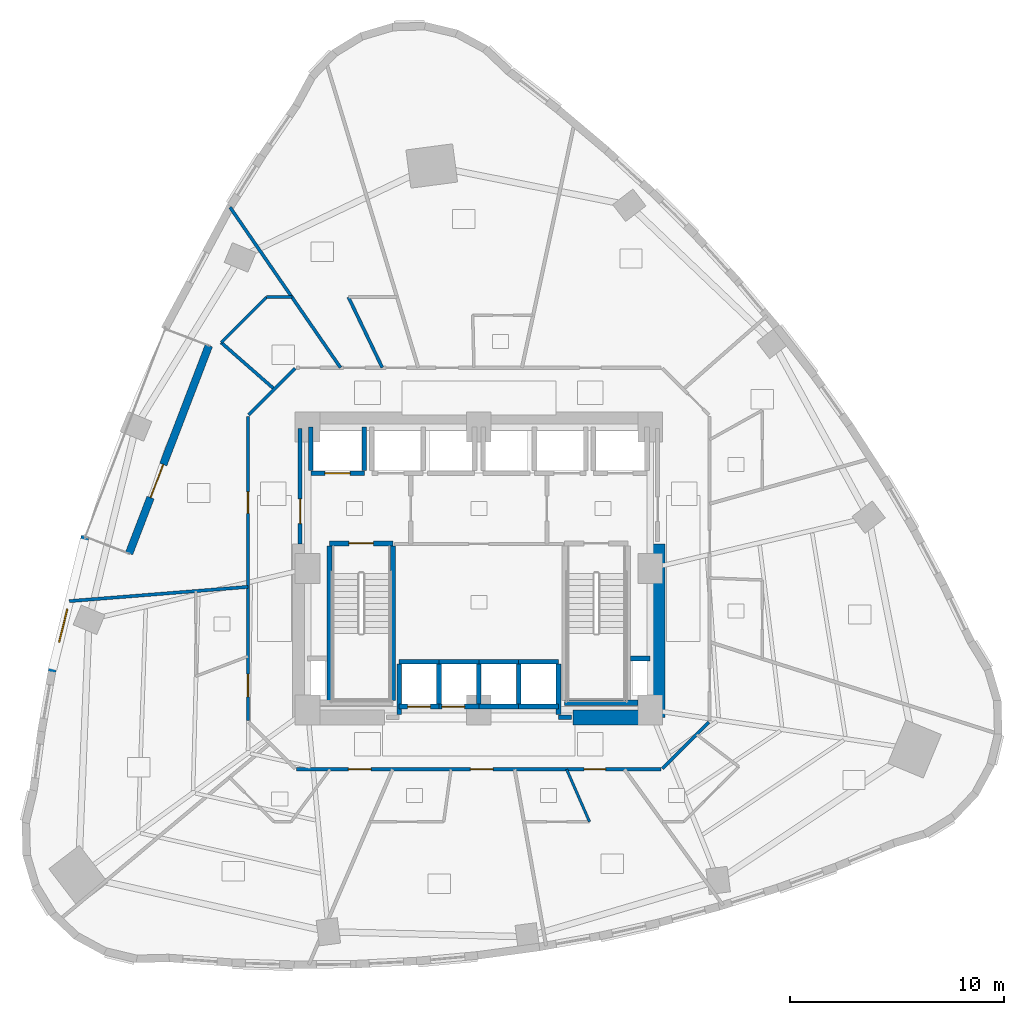
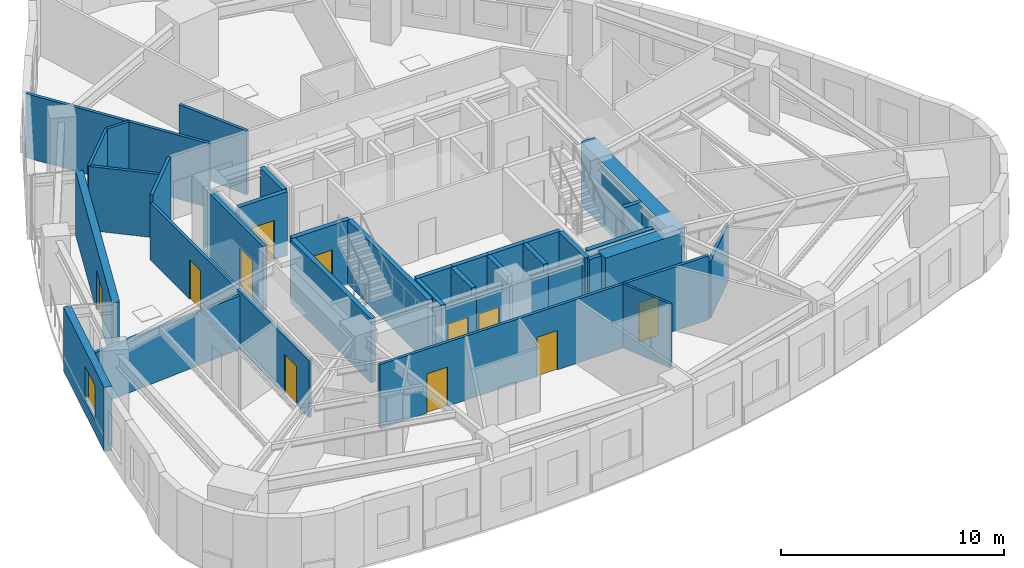
# One storey, part 6 of 12: 38 walls, 11 doors, 1 window, 12 openings.
"""IFC4 building model written with IfcOpenShell, lengths in metres."""

from ifc_helpers import new_model, si_unit, direction, frame, frame_2d, origin, place, context, subcontext, project, spatial, rectangle, extrude, material, layer, layer_set, type_object, element, fill, save


model = new_model("IFC4")

# Units and contexts
model_context = context("Model", 3, precision=1e-05, world=origin(), true_north=direction((0.0, 1.0)))
body_context = subcontext(model_context, "Body", "Model", "MODEL_VIEW")
ifc_project = project(units=[si_unit("LENGTHUNIT", "METRE"), si_unit("AREAUNIT", "SQUARE_METRE"), si_unit("VOLUMEUNIT", "CUBIC_METRE"), si_unit("PLANEANGLEUNIT", "RADIAN"), si_unit("MASSUNIT", "GRAM", prefix="KILO")], contexts=[model_context])

# Site, building, storey
site_placement = place(None, origin())
site = spatial("IfcSite", under=ifc_project, at=site_placement, CompositionType="ELEMENT")
building_placement = place(site_placement, origin())
building = spatial("IfcBuilding", under=site, at=building_placement, Name="Ndelora Gate Hotel", CompositionType="ELEMENT")
storey_placement = place(building_placement, frame((0.0, 0.0, 60.5)))
storey = spatial("IfcBuildingStorey", under=building, at=storey_placement, Name="L14", CompositionType="ELEMENT", Elevation=60.5)

# Wall, opening, door
ifc_material_1 = material(Name="Clay Brick Masonry", Category="masonry")
ifc_layer_1 = layer(ifc_material_1, 0.360107421875)
ifc_layer_set_1 = layer_set([ifc_layer_1], Name="Clay Brick Masonry")
wall_type_1 = type_object("IfcWallType", Name="WL-BRICK-360", PredefinedType="SOLIDWALL", material=ifc_layer_set_1)
wall_1_placement = place(storey_placement, frame((-16.335693359375, 0.70068359375, 0.0), z_axis=(0.0, 0.0, 1.0), x_axis=(0.358370224529, 0.93357955321, 0.0)))
wall_1 = element("IfcWall", 1, at=wall_1_placement, inside=storey, type_object=wall_type_1, Name="L14 Sky-Garden Loggia Rear Brick Wall", PredefinedType="SOLIDWALL", context=body_context, shape_type="SweptSolid", body=[
    extrude(rectangle(XDim=10.39990234375, YDim=0.360107421875, at=frame_2d((5.199951171875, 0.0))), origin(), (0.0, 0.0, 1.0), 3.5),
])
opening_1_placement = place(wall_1_placement, frame((2.800048828125, 0.0, 0.0)))
opening_1 = element("IfcOpeningElement", 2, at=opening_1_placement, cuts=wall_1, Name="Opening TD1", PredefinedType="OPENING", context=body_context, shape_type="SweptSolid", body=[
    extrude(rectangle(XDim=1.64990234375, YDim=2.25, at=frame_2d((0.824951171875, 1.125))), frame((0.0, 0.18994140625, 0.0), z_axis=(0.0, -1.0, 0.0), x_axis=(1.0, 0.0, 0.0)), (0.0, 0.0, 1.0), 0.380126953125),
])
ifc_material_2 = material(Name="Architectural Bronze Glazed Door", Category="metal")
door_type_1 = type_object("IfcDoorType", Name="DR-TER-1650", OperationType="DOUBLE_DOOR_SINGLE_SWING", PredefinedType="DOOR", material=ifc_material_2)
door_1_placement = place(opening_1_placement, origin())
door_1 = element("IfcDoor", 3, at=door_1_placement, inside=storey, type_object=door_type_1, Name="L14 Sky-Garden Terrace Double Door TD1", OperationType="DOUBLE_DOOR_SINGLE_SWING", OverallHeight=2.25, OverallWidth=1.64990234375, PredefinedType="DOOR", context=body_context, shape_type="SweptSolid", body=[
    extrude(rectangle(XDim=1.64990234375, YDim=2.25, at=frame_2d((0.824951171875, 1.125))), frame((0.0, 0.02490234375, 0.0), z_axis=(0.0, -1.0, 0.0), x_axis=(1.0, 0.0, 0.0)), (0.0, 0.0, 1.0), 0.050048828125),
])
fill(opening_1, door_1)

# Wall, opening, window
wall_2_placement = place(storey_placement, frame((-19.951416015625, -4.86279296875, 0.0), z_axis=(0.0, 0.0, 1.0), x_axis=(0.238780649109, 0.971073530486, 0.0)))
wall_2 = element("IfcWall", 4, at=wall_2_placement, inside=storey, type_object=wall_type_1, Name="L14 Tower Brick Pier-and-Spandrel Wall TWR-16", PredefinedType="SOLIDWALL", context=body_context, shape_type="SweptSolid", body=[
    extrude(rectangle(XDim=6.566162109375, YDim=0.360107421875, at=frame_2d((3.283203125, 0.0))), origin(), (0.0, 0.0, 1.0), 3.5),
])
opening_2_placement = place(wall_2_placement, frame((1.4599609375, 0.0, 0.719970703125)))
opening_2 = element("IfcOpeningElement", 5, at=opening_2_placement, cuts=wall_2, Name="Opening W01", PredefinedType="OPENING", context=body_context, shape_type="SweptSolid", body=[
    extrude(rectangle(XDim=1.60009765625, YDim=1.8798828125, at=frame_2d((0.800048828125, 0.93994140625))), frame((0.0, 0.18994140625, 0.0), z_axis=(0.0, -1.0, 0.0), x_axis=(1.0, 0.0, 0.0)), (0.0, 0.0, 1.0), 0.380126953125),
])
ifc_material_3 = material(Name="Insulated Low-E Double Glazing in Bronze Aluminium Frame", Category="aluminium")
window_type = type_object("IfcWindowType", Name="WN-DEEP-1600", PartitioningType="SINGLE_PANEL", PredefinedType="WINDOW", material=ifc_material_3)
window_placement = place(opening_2_placement, origin())
window = element("IfcWindow", 6, at=window_placement, inside=storey, type_object=window_type, Name="L14 Deep-Set Brick-Pier Window W01", OverallHeight=1.8798828125, OverallWidth=1.60009765625, PartitioningType="SINGLE_PANEL", PredefinedType="WINDOW", context=body_context, shape_type="SweptSolid", body=[
    extrude(rectangle(XDim=1.60009765625, YDim=1.8798828125, at=frame_2d((0.800048828125, 0.93994140625))), frame((0.0, 0.030029296875, 0.0), z_axis=(0.0, -1.0, 0.0), x_axis=(1.0, 0.0, 0.0)), (0.0, 0.0, 1.0), 0.06005859375),
])
fill(opening_2, window)

# Walls
ifc_material_4 = material(Name="Concrete C60/75", Category="concrete")
ifc_layer_2 = layer(ifc_material_4, 0.699951171875)
ifc_layer_set_2 = layer_set([ifc_layer_2], Name="Concrete C60/75")
wall_type_2 = type_object("IfcWallType", Name="WL-CORE-700", PredefinedType="SHEAR", material=ifc_layer_set_2)
wall_3_placement = place(storey_placement, frame((4.39990234375, -6.949951171875, 0.0), z_axis=(0.0, 0.0, 1.0), x_axis=(1.0, 0.0, 0.0)))
element("IfcWall", 7, at=wall_3_placement, inside=storey, type_object=wall_type_2, Name="L14 Core Shear Wall S-E", PredefinedType="SHEAR", context=body_context, shape_type="SweptSolid", body=[
    extrude(rectangle(XDim=3.9501953125, YDim=0.699951171875, at=frame_2d((1.97509765625, 0.0))), origin(), (0.0, 0.0, 1.0), 3.5),
])
wall_4_placement = place(storey_placement, frame((8.35009765625, -6.949951171875, 0.0), z_axis=(0.0, 0.0, 1.0), x_axis=(0.0, 1.0, 0.0)))
element("IfcWall", 8, at=wall_4_placement, inside=storey, type_object=wall_type_2, Name="L14 Core Shear Wall E", PredefinedType="SHEAR", context=body_context, shape_type="SweptSolid", body=[
    extrude(rectangle(XDim=8.099853515625, YDim=0.699951171875, at=frame_2d((4.0498046875, 0.0))), origin(), (0.0, 0.0, 1.0), 3.5),
])

# Wall, opening, door
ifc_material_5 = material(Name="Concrete C40/50", Category="concrete")
ifc_layer_3 = layer(ifc_material_5, 0.199951171875)
ifc_layer_set_3 = layer_set([ifc_layer_3], Name="Concrete C40/50")
wall_type_3 = type_object("IfcWallType", Name="WL-FIRE-200", PredefinedType="PARTITIONING", material=ifc_layer_set_3)
wall_5_placement = place(storey_placement, frame((-8.35009765625, 1.14990234375, 0.0), z_axis=(0.0, 0.0, 1.0), x_axis=(0.0, 1.0, 0.0)))
wall_5 = element("IfcWall", 9, at=wall_5_placement, inside=storey, type_object=wall_type_3, Name="L14 Interior Wall IW-2", PredefinedType="PARTITIONING", context=body_context, shape_type="SweptSolid", body=[
    extrude(rectangle(XDim=5.400146484375, YDim=0.199951171875, at=frame_2d((2.7001953125, 0.0))), origin(), (0.0, 0.0, 1.0), 3.5),
])
opening_3_placement = place(wall_5_placement, frame((0.949951171875, 0.0, 0.0)))
opening_3 = element("IfcOpeningElement", 10, at=opening_3_placement, cuts=wall_5, Name="Opening FD1", PredefinedType="OPENING", context=body_context, shape_type="SweptSolid", body=[
    extrude(rectangle(XDim=1.14990234375, YDim=2.14990234375, at=frame_2d((0.574951171875, 1.074951171875))), frame((0.0, 0.10986328125, 0.0), z_axis=(0.0, -1.0, 0.0), x_axis=(1.0, 0.0, 0.0)), (0.0, 0.0, 1.0), 0.219970703125),
])
ifc_material_6 = material(Name="Fire-Rated Timber-Veneer Steel Core", Category="steel")
door_type_2 = type_object("IfcDoorType", Name="DR-FD60", OperationType="SINGLE_SWING_LEFT", PredefinedType="DOOR", material=ifc_material_6)
door_2_placement = place(opening_3_placement, origin())
door_2 = element("IfcDoor", 11, at=door_2_placement, inside=storey, type_object=door_type_2, Name="L14 Firefighting Lobby West Corridor Door", OperationType="SINGLE_SWING_LEFT", OverallHeight=2.14990234375, OverallWidth=1.14990234375, PredefinedType="DOOR", context=body_context, shape_type="SweptSolid", body=[
    extrude(rectangle(XDim=1.14990234375, YDim=2.14990234375, at=frame_2d((0.574951171875, 1.074951171875))), frame((0.0, 0.02490234375, 0.0), z_axis=(0.0, -1.0, 0.0), x_axis=(1.0, 0.0, 0.0)), (0.0, 0.0, 1.0), 0.050048828125),
])
fill(opening_3, door_2)

# Wall
wall_6_placement = place(storey_placement, frame((3.719970703125, -6.949951171875, 0.0), z_axis=(0.0, 0.0, 1.0), x_axis=(1.0, 0.0, 0.0)))
element("IfcWall", 12, at=wall_6_placement, inside=storey, type_object=wall_type_3, Name="L14 Interior Wall IW-2", PredefinedType="PARTITIONING", context=body_context, shape_type="SweptSolid", body=[
    extrude(rectangle(XDim=0.60009765625, YDim=0.199951171875, at=frame_2d((0.300048828125, 0.0))), origin(), (0.0, 0.0, 1.0), 3.5),
])

# Wall, openings, doors
ifc_material_7 = material(Name="Fire-Rated Gypsum Stud Partition", Category="gypsum")
ifc_layer_4 = layer(ifc_material_7, 0.14990234375)
ifc_layer_set_4 = layer_set([ifc_layer_4], Name="Fire-Rated Gypsum Stud Partition")
wall_type_4 = type_object("IfcWallType", Name="WL-PART-150", PredefinedType="PARTITIONING", material=ifc_layer_set_4)
wall_7_placement = place(storey_placement, frame((8.510009765625, -9.3798828125, 0.0), z_axis=(0.0, 0.0, 1.0), x_axis=(-1.0, 0.0, 0.0)))
wall_7 = element("IfcWall", 13, at=wall_7_placement, inside=storey, type_object=wall_type_4, Name="L14 Interior Wall IW-5", PredefinedType="PARTITIONING", context=body_context, shape_type="SweptSolid", body=[
    extrude(rectangle(XDim=17.02001953125, YDim=0.14990234375, at=frame_2d((8.510009765625, 0.0))), origin(), (0.0, 0.0, 1.0), 3.5),
])
opening_4_placement = place(wall_7_placement, frame((2.58935546875, 0.0, 0.0)))
opening_4 = element("IfcOpeningElement", 14, at=opening_4_placement, cuts=wall_7, Name="Opening D01", PredefinedType="OPENING", context=body_context, shape_type="SweptSolid", body=[
    extrude(rectangle(XDim=1.0, YDim=2.14990234375, at=frame_2d((0.5, 1.074951171875))), frame((0.0, 0.0849609375, 0.0), z_axis=(0.0, -1.0, 0.0), x_axis=(1.0, 0.0, 0.0)), (0.0, 0.0, 1.0), 0.169921875),
])
opening_5_placement = place(wall_7_placement, frame((7.842529296875, 0.0, 0.0)))
opening_5 = element("IfcOpeningElement", 15, at=opening_5_placement, cuts=wall_7, Name="Opening D07", PredefinedType="OPENING", context=body_context, shape_type="SweptSolid", body=[
    extrude(rectangle(XDim=1.06005859375, YDim=2.14990234375, at=frame_2d((0.530029296875, 1.074951171875))), frame((0.0, 0.0849609375, 0.0), z_axis=(0.0, -1.0, 0.0), x_axis=(1.0, 0.0, 0.0)), (0.0, 0.0, 1.0), 0.169921875),
])
opening_6_placement = place(wall_7_placement, frame((13.537353515625, 0.0, 0.0)))
opening_6 = element("IfcOpeningElement", 16, at=opening_6_placement, cuts=wall_7, Name="Opening D07", PredefinedType="OPENING", context=body_context, shape_type="SweptSolid", body=[
    extrude(rectangle(XDim=1.06005859375, YDim=2.14990234375, at=frame_2d((0.530029296875, 1.074951171875))), frame((0.0, 0.0849609375, 0.0), z_axis=(0.0, -1.0, 0.0), x_axis=(1.0, 0.0, 0.0)), (0.0, 0.0, 1.0), 0.169921875),
])
ifc_material_8 = material(Name="Acoustic Hardwood Guest Entrance Door", Category="wood")
door_type_3 = type_object("IfcDoorType", Name="DR-COR-1000", OperationType="SINGLE_SWING_LEFT", PredefinedType="DOOR", material=ifc_material_8)
door_3_placement = place(opening_4_placement, origin())
door_3 = element("IfcDoor", 17, at=door_3_placement, inside=storey, type_object=door_type_3, Name="L14 Executive King Guest Room 1704 Entrance Door", OperationType="SINGLE_SWING_LEFT", OverallHeight=2.14990234375, OverallWidth=1.0, PredefinedType="DOOR", context=body_context, shape_type="SweptSolid", body=[
    extrude(rectangle(XDim=1.0, YDim=2.14990234375, at=frame_2d((0.5, 1.074951171875))), frame((0.0, 0.02490234375, 0.0), z_axis=(0.0, -1.0, 0.0), x_axis=(1.0, 0.0, 0.0)), (0.0, 0.0, 1.0), 0.050048828125),
])
fill(opening_4, door_3)
ifc_material_9 = material(Name="Diplomatic Suite Acoustic Entrance Door", Category="wood")
door_type_4 = type_object("IfcDoorType", Name="DR-SUITE-1060", OperationType="SINGLE_SWING_LEFT", PredefinedType="DOOR", material=ifc_material_9)
door_4_placement = place(opening_5_placement, origin())
door_4 = element("IfcDoor", 18, at=door_4_placement, inside=storey, type_object=door_type_4, Name="L14 Corner Junior Suite 1703 Entrance Door", OperationType="SINGLE_SWING_RIGHT", OverallHeight=2.14990234375, OverallWidth=1.06005859375, PredefinedType="DOOR", context=body_context, shape_type="SweptSolid", body=[
    extrude(rectangle(XDim=1.06005859375, YDim=2.14990234375, at=frame_2d((0.530029296875, 1.074951171875))), frame((0.0, 0.02490234375, 0.0), z_axis=(0.0, -1.0, 0.0), x_axis=(1.0, 0.0, 0.0)), (0.0, 0.0, 1.0), 0.050048828125),
])
fill(opening_5, door_4)
door_5_placement = place(opening_6_placement, origin())
door_5 = element("IfcDoor", 19, at=door_5_placement, inside=storey, type_object=door_type_4, Name="L14 Twin Junior Suite 1702 Entrance Door", OperationType="SINGLE_SWING_RIGHT", OverallHeight=2.14990234375, OverallWidth=1.06005859375, PredefinedType="DOOR", context=body_context, shape_type="SweptSolid", body=[
    extrude(rectangle(XDim=1.06005859375, YDim=2.14990234375, at=frame_2d((0.530029296875, 1.074951171875))), frame((0.0, 0.02490234375, 0.0), z_axis=(0.0, -1.0, 0.0), x_axis=(1.0, 0.0, 0.0)), (0.0, 0.0, 1.0), 0.050048828125),
])
fill(opening_6, door_5)

# Walls
wall_8_placement = place(storey_placement, frame((10.751708984375, -7.17822265625, 0.0), z_axis=(0.0, 0.0, 1.0), x_axis=(-0.707067066127, -0.707146494016, 0.0)))
element("IfcWall", 20, at=wall_8_placement, inside=storey, type_object=wall_type_4, Name="L14 Interior Wall IW-5", PredefinedType="PARTITIONING", context=body_context, shape_type="SweptSolid", body=[
    extrude(rectangle(XDim=3.07373046875, YDim=0.14990234375, at=frame_2d((1.536865234375, 0.0))), origin(), (0.0, 0.0, 1.0), 3.1201171875),
])
wall_9_placement = place(storey_placement, frame((-10.751708984375, 7.17822265625, 0.0), z_axis=(0.0, 0.0, 1.0), x_axis=(0.707067066127, 0.707146494016, 0.0)))
element("IfcWall", 21, at=wall_9_placement, inside=storey, type_object=wall_type_4, Name="L14 Interior Wall IW-5", PredefinedType="PARTITIONING", context=body_context, shape_type="SweptSolid", body=[
    extrude(rectangle(XDim=3.07373046875, YDim=0.14990234375, at=frame_2d((1.536865234375, 0.0))), origin(), (0.0, 0.0, 1.0), 3.5),
])

# Wall, openings, doors
wall_10_placement = place(storey_placement, frame((-10.780029296875, -7.110107421875, 0.0), z_axis=(0.0, 0.0, 1.0), x_axis=(0.0, 1.0, 0.0)))
wall_10 = element("IfcWall", 22, at=wall_10_placement, inside=storey, type_object=wall_type_4, Name="L14 Interior Wall IW-5", PredefinedType="PARTITIONING", context=body_context, shape_type="SweptSolid", body=[
    extrude(rectangle(XDim=14.22021484375, YDim=0.14990234375, at=frame_2d((7.110107421875, 0.0))), origin(), (0.0, 0.0, 1.0), 3.1201171875),
])
opening_7_placement = place(wall_10_placement, frame((9.685302734375, 0.0, 0.0)))
opening_7 = element("IfcOpeningElement", 23, at=opening_7_placement, cuts=wall_10, Name="Opening D01", PredefinedType="OPENING", context=body_context, shape_type="SweptSolid", body=[
    extrude(rectangle(XDim=1.0, YDim=2.14990234375, at=frame_2d((0.5, 1.074951171875))), frame((0.0, 0.0849609375, 0.0), z_axis=(0.0, -1.0, 0.0), x_axis=(1.0, 0.0, 0.0)), (0.0, 0.0, 1.0), 0.169921875),
])
opening_8_placement = place(wall_10_placement, frame((1.11279296875, 0.0, 0.0)))
opening_8 = element("IfcOpeningElement", 24, at=opening_8_placement, cuts=wall_10, Name="Opening D07", PredefinedType="OPENING", context=body_context, shape_type="SweptSolid", body=[
    extrude(rectangle(XDim=1.06005859375, YDim=2.14990234375, at=frame_2d((0.530029296875, 1.074951171875))), frame((0.0, 0.0849609375, 0.0), z_axis=(0.0, -1.0, 0.0), x_axis=(1.0, 0.0, 0.0)), (0.0, 0.0, 1.0), 0.169921875),
])
door_6_placement = place(opening_7_placement, origin())
door_6 = element("IfcDoor", 25, at=door_6_placement, inside=storey, type_object=door_type_3, Name="L14 Sky Garden Tea Dining Room Entrance Door", OperationType="SINGLE_SWING_LEFT", OverallHeight=2.14990234375, OverallWidth=1.0, PredefinedType="DOOR", context=body_context, shape_type="SweptSolid", body=[
    extrude(rectangle(XDim=1.0, YDim=2.14990234375, at=frame_2d((0.5, 1.074951171875))), frame((0.0, 0.02490234375, 0.0), z_axis=(0.0, -1.0, 0.0), x_axis=(1.0, 0.0, 0.0)), (0.0, 0.0, 1.0), 0.050048828125),
])
fill(opening_7, door_6)
door_7_placement = place(opening_8_placement, origin())
door_7 = element("IfcDoor", 26, at=door_7_placement, inside=storey, type_object=door_type_4, Name="L14 Superior Double Junior Suite 1701 Entrance Door", OperationType="SINGLE_SWING_RIGHT", OverallHeight=2.14990234375, OverallWidth=1.06005859375, PredefinedType="DOOR", context=body_context, shape_type="SweptSolid", body=[
    extrude(rectangle(XDim=1.06005859375, YDim=2.14990234375, at=frame_2d((0.530029296875, 1.074951171875))), frame((0.0, 0.02490234375, 0.0), z_axis=(0.0, -1.0, 0.0), x_axis=(1.0, 0.0, 0.0)), (0.0, 0.0, 1.0), 0.050048828125),
])
fill(opening_8, door_7)

# Walls
wall_11_placement = place(storey_placement, frame((-9.552490234375, 8.37744140625, 0.0), z_axis=(0.0, 0.0, 1.0), x_axis=(-0.751807906315, 0.659382189631, 0.0)))
element("IfcWall", 27, at=wall_11_placement, inside=storey, type_object=wall_type_4, Name="L14 Interior Wall IW-5", PredefinedType="PARTITIONING", context=body_context, shape_type="SweptSolid", body=[
    extrude(rectangle(XDim=3.30712890625, YDim=0.14990234375, at=frame_2d((1.653564453125, 0.0))), origin(), (0.0, 0.0, 1.0), 3.5),
])
wall_12_placement = place(storey_placement, frame((-10.780029296875, -0.85888671875, 0.0), z_axis=(0.0, 0.0, 1.0), x_axis=(-0.996838958, -0.079448674079, 0.0)))
element("IfcWall", 28, at=wall_12_placement, inside=storey, type_object=wall_type_4, Name="L14 Interior Wall IW-5", PredefinedType="PARTITIONING", context=body_context, shape_type="SweptSolid", body=[
    extrude(rectangle(XDim=8.376708984375, YDim=0.14990234375, at=frame_2d((4.1884765625, 0.0))), origin(), (0.0, 0.0, 1.0), 2.929931640625),
])
wall_13_placement = place(storey_placement, frame((-4.507568359375, 9.3798828125, 0.0), z_axis=(0.0, 0.0, 1.0), x_axis=(-0.433155901161, 0.901319014162, 0.0)))
element("IfcWall", 29, at=wall_13_placement, inside=storey, type_object=wall_type_4, Name="L14 Interior Wall IW-5", PredefinedType="PARTITIONING", context=body_context, shape_type="SweptSolid", body=[
    extrude(rectangle(XDim=3.661376953125, YDim=0.14990234375, at=frame_2d((1.83056640625, 0.0))), origin(), (0.0, 0.0, 1.0), 3.5),
])
wall_14_placement = place(storey_placement, frame((-6.460205078125, 9.3798828125, 0.0), z_axis=(0.0, 0.0, 1.0), x_axis=(-0.567187966885, 0.823588374263, 0.0)))
element("IfcWall", 30, at=wall_14_placement, inside=storey, type_object=wall_type_4, Name="L14 Interior Wall IW-5", PredefinedType="PARTITIONING", context=body_context, shape_type="SweptSolid", body=[
    extrude(rectangle(XDim=9.09912109375, YDim=0.14990234375, at=frame_2d((4.549560546875, 0.0))), origin(), (0.0, 0.0, 1.0), 3.5),
])
ifc_layer_5 = layer(ifc_material_5, 0.219970703125)
ifc_layer_set_5 = layer_set([ifc_layer_5], Name="Concrete C40/50")
wall_type_5 = type_object("IfcWallType", Name="WL-SHAFT-220", PredefinedType="PARTITIONING", material=ifc_layer_set_5)
wall_15_placement = place(storey_placement, frame((7.090087890625, -4.199951171875, 0.0), z_axis=(0.0, 0.0, 1.0), x_axis=(1.0, 0.0, 0.0)))
element("IfcWall", 31, at=wall_15_placement, inside=storey, type_object=wall_type_5, Name="L14 Interior Wall IW-1", PredefinedType="PARTITIONING", context=body_context, shape_type="SweptSolid", body=[
    extrude(rectangle(XDim=0.909912109375, YDim=0.219970703125, at=frame_2d((0.455078125, 0.0))), origin(), (0.0, 0.0, 1.0), 3.5),
])

# Wall, opening, door
wall_16_placement = place(storey_placement, frame((-7.85009765625, 4.449951171875, 0.0), z_axis=(0.0, 0.0, 1.0), x_axis=(1.0, 0.0, 0.0)))
wall_16 = element("IfcWall", 32, at=wall_16_placement, inside=storey, type_object=wall_type_5, Name="L14 Interior Wall IW-1", PredefinedType="PARTITIONING", context=body_context, shape_type="SweptSolid", body=[
    extrude(rectangle(XDim=2.5, YDim=0.219970703125, at=frame_2d((1.25, 0.0))), origin(), (0.0, 0.0, 1.0), 3.5),
])
opening_9_placement = place(wall_16_placement, frame((0.659912109375, 0.0, 0.0)))
opening_9 = element("IfcOpeningElement", 33, at=opening_9_placement, cuts=wall_16, Name="Opening LD5", PredefinedType="OPENING", context=body_context, shape_type="SweptSolid", body=[
    extrude(rectangle(XDim=1.179931640625, YDim=2.14990234375, at=frame_2d((0.58984375, 1.074951171875))), frame((0.0, 0.1201171875, 0.0), z_axis=(0.0, -1.0, 0.0), x_axis=(1.0, 0.0, 0.0)), (0.0, 0.0, 1.0), 0.239990234375),
])
ifc_material_10 = material(Name="Firefighting Lift Stainless Sliding Landing Door", Category="metal")
door_type_5 = type_object("IfcDoorType", Name="DR-LD5", OperationType="DOUBLE_DOOR_SLIDING", PredefinedType="DOOR", material=ifc_material_10)
door_8_placement = place(opening_9_placement, origin())
door_8 = element("IfcDoor", 34, at=door_8_placement, inside=storey, type_object=door_type_5, Name="L14 Lift Landing Sliding Door FFL1", OperationType="DOUBLE_DOOR_SLIDING", OverallHeight=2.14990234375, OverallWidth=1.179931640625, PredefinedType="DOOR", context=body_context, shape_type="SweptSolid", body=[
    extrude(rectangle(XDim=1.179931640625, YDim=2.14990234375, at=frame_2d((0.58984375, 1.074951171875))), frame((0.0, 0.02490234375, 0.0), z_axis=(0.0, -1.0, 0.0), x_axis=(1.0, 0.0, 0.0)), (0.0, 0.0, 1.0), 0.050048828125),
])
fill(opening_9, door_8)

# Walls
wall_17_placement = place(storey_placement, frame((-7.85009765625, 4.570068359375, 0.0), z_axis=(0.0, 0.0, 1.0), x_axis=(0.0, 1.0, 0.0)))
element("IfcWall", 35, at=wall_17_placement, inside=storey, type_object=wall_type_5, Name="L14 Interior Wall IW-1", PredefinedType="PARTITIONING", context=body_context, shape_type="SweptSolid", body=[
    extrude(rectangle(XDim=2.030029296875, YDim=0.219970703125, at=frame_2d((1.01513671875, 0.0))), origin(), (0.0, 0.0, 1.0), 3.080078125),
])
wall_18_placement = place(storey_placement, frame((-5.35009765625, 4.570068359375, 0.0), z_axis=(0.0, 0.0, 1.0), x_axis=(0.0, 1.0, 0.0)))
element("IfcWall", 36, at=wall_18_placement, inside=storey, type_object=wall_type_5, Name="L14 Interior Wall IW-1", PredefinedType="PARTITIONING", context=body_context, shape_type="SweptSolid", body=[
    extrude(rectangle(XDim=2.030029296875, YDim=0.219970703125, at=frame_2d((1.01513671875, 0.0))), origin(), (0.0, 0.0, 1.0), 3.5),
])

# Wall, opening, door
wall_19_placement = place(storey_placement, frame((-3.719970703125, -6.449951171875, 0.0), z_axis=(0.0, 0.0, 1.0), x_axis=(1.0, 0.0, 0.0)))
wall_19 = element("IfcWall", 37, at=wall_19_placement, inside=storey, type_object=wall_type_5, Name="L14 Interior Wall IW-1", PredefinedType="PARTITIONING", context=body_context, shape_type="SweptSolid", body=[
    extrude(rectangle(XDim=1.85986328125, YDim=0.219970703125, at=frame_2d((0.929931640625, 0.0))), origin(), (0.0, 0.0, 1.0), 3.080078125),
])
opening_10_placement = place(wall_19_placement, frame((0.39990234375, 0.0, 0.0)))
opening_10 = element("IfcOpeningElement", 38, at=opening_10_placement, cuts=wall_19, Name="Opening LD1", PredefinedType="OPENING", context=body_context, shape_type="SweptSolid", body=[
    extrude(rectangle(XDim=1.06005859375, YDim=2.14990234375, at=frame_2d((0.530029296875, 1.074951171875))), frame((0.0, 0.1201171875, 0.0), z_axis=(0.0, -1.0, 0.0), x_axis=(1.0, 0.0, 0.0)), (0.0, 0.0, 1.0), 0.239990234375),
])
ifc_material_11 = material(Name="Brushed Bronze Stainless Lift Landing Door", Category="metal")
door_type_6 = type_object("IfcDoorType", Name="DR-LD1", OperationType="DOUBLE_DOOR_SLIDING", PredefinedType="DOOR", material=ifc_material_11)
door_9_placement = place(opening_10_placement, origin())
door_9 = element("IfcDoor", 39, at=door_9_placement, inside=storey, type_object=door_type_6, Name="L14 Lift Landing Sliding Door P1A", OperationType="DOUBLE_DOOR_SLIDING", OverallHeight=2.14990234375, OverallWidth=1.06005859375, PredefinedType="DOOR", context=body_context, shape_type="SweptSolid", body=[
    extrude(rectangle(XDim=1.06005859375, YDim=2.14990234375, at=frame_2d((0.530029296875, 1.074951171875))), frame((0.0, 0.02490234375, 0.0), z_axis=(0.0, -1.0, 0.0), x_axis=(1.0, 0.0, 0.0)), (0.0, 0.0, 1.0), 0.050048828125),
])
fill(opening_10, door_9)

# Walls
wall_20_placement = place(storey_placement, frame((-3.719970703125, -4.35009765625, 0.0), z_axis=(0.0, 0.0, 1.0), x_axis=(1.0, 0.0, 0.0)))
element("IfcWall", 40, at=wall_20_placement, inside=storey, type_object=wall_type_5, Name="L14 Interior Wall IW-1", PredefinedType="PARTITIONING", context=body_context, shape_type="SweptSolid", body=[
    extrude(rectangle(XDim=1.85986328125, YDim=0.219970703125, at=frame_2d((0.929931640625, 0.0))), origin(), (0.0, 0.0, 1.0), 3.5),
])
wall_21_placement = place(storey_placement, frame((-3.719970703125, -6.830078125, 0.0), z_axis=(0.0, 0.0, 1.0), x_axis=(0.0, 1.0, 0.0)))
element("IfcWall", 41, at=wall_21_placement, inside=storey, type_object=wall_type_5, Name="L14 Interior Wall IW-1", PredefinedType="PARTITIONING", context=body_context, shape_type="SweptSolid", body=[
    extrude(rectangle(XDim=2.360107421875, YDim=0.219970703125, at=frame_2d((1.18017578125, 0.0))), origin(), (0.0, 0.0, 1.0), 3.5),
])
wall_22_placement = place(storey_placement, frame((-1.860107421875, -6.330078125, 0.0), z_axis=(0.0, 0.0, 1.0), x_axis=(0.0, 1.0, 0.0)))
element("IfcWall", 42, at=wall_22_placement, inside=storey, type_object=wall_type_5, Name="L14 Interior Wall IW-1", PredefinedType="PARTITIONING", context=body_context, shape_type="SweptSolid", body=[
    extrude(rectangle(XDim=1.860107421875, YDim=0.219970703125, at=frame_2d((0.93017578125, 0.0))), origin(), (0.0, 0.0, 1.0), 3.5),
])

# Wall, opening, door
wall_23_placement = place(storey_placement, frame((-1.860107421875, -6.449951171875, 0.0), z_axis=(0.0, 0.0, 1.0), x_axis=(1.0, 0.0, 0.0)))
wall_23 = element("IfcWall", 43, at=wall_23_placement, inside=storey, type_object=wall_type_5, Name="L14 Interior Wall IW-1", PredefinedType="PARTITIONING", context=body_context, shape_type="SweptSolid", body=[
    extrude(rectangle(XDim=1.860107421875, YDim=0.219970703125, at=frame_2d((0.93017578125, 0.0))), origin(), (0.0, 0.0, 1.0), 3.080078125),
])
opening_11_placement = place(wall_23_placement, frame((0.139892578125, 0.0, 0.0)))
opening_11 = element("IfcOpeningElement", 44, at=opening_11_placement, cuts=wall_23, Name="Opening LD1", PredefinedType="OPENING", context=body_context, shape_type="SweptSolid", body=[
    extrude(rectangle(XDim=1.06005859375, YDim=2.14990234375, at=frame_2d((0.530029296875, 1.074951171875))), frame((0.0, 0.1201171875, 0.0), z_axis=(0.0, -1.0, 0.0), x_axis=(1.0, 0.0, 0.0)), (0.0, 0.0, 1.0), 0.239990234375),
])
door_10_placement = place(opening_11_placement, origin())
door_10 = element("IfcDoor", 45, at=door_10_placement, inside=storey, type_object=door_type_6, Name="L14 Lift Landing Sliding Door P1B", OperationType="DOUBLE_DOOR_SLIDING", OverallHeight=2.14990234375, OverallWidth=1.06005859375, PredefinedType="DOOR", context=body_context, shape_type="SweptSolid", body=[
    extrude(rectangle(XDim=1.06005859375, YDim=2.14990234375, at=frame_2d((0.530029296875, 1.074951171875))), frame((0.0, 0.02490234375, 0.0), z_axis=(0.0, -1.0, 0.0), x_axis=(1.0, 0.0, 0.0)), (0.0, 0.0, 1.0), 0.050048828125),
])
fill(opening_11, door_10)

# Walls
for number, where, z_axis, x_axis, name in (
    (46, (-1.860107421875, -4.35009765625, 0.0), (0.0, 0.0, 1.0), (1.0, 0.0, 0.0), "L14 Interior Wall IW-1"),
    (47, (0.0, -6.330078125, 0.0), (0.0, 0.0, 1.0), (0.0, 1.0, 0.0), "L14 Interior Wall IW-1"),
):
    element("IfcWall", number, at=place(storey_placement, frame(where, z_axis=z_axis, x_axis=x_axis)), inside=storey, type_object=wall_type_5, Name=name, PredefinedType="PARTITIONING", context=body_context, shape_type="SweptSolid", body=[
        extrude(rectangle(XDim=1.860107421875, YDim=0.219970703125, at=frame_2d((0.93017578125, 0.0))), origin(), (0.0, 0.0, 1.0), 3.5),
    ])
wall_24_placement = place(storey_placement, frame((0.0, -6.449951171875, 0.0), z_axis=(0.0, 0.0, 1.0), x_axis=(1.0, 0.0, 0.0)))
element("IfcWall", 48, at=wall_24_placement, inside=storey, type_object=wall_type_5, Name="L14 Interior Wall IW-1", PredefinedType="PARTITIONING", context=body_context, shape_type="SweptSolid", body=[
    extrude(rectangle(XDim=1.860107421875, YDim=0.219970703125, at=frame_2d((0.93017578125, 0.0))), origin(), (0.0, 0.0, 1.0), 3.080078125),
])
for number, where, z_axis, x_axis, name in (
    (49, (0.0, -4.35009765625, 0.0), (0.0, 0.0, 1.0), (1.0, 0.0, 0.0), "L14 Interior Wall IW-1"),
    (50, (1.860107421875, -6.330078125, 0.0), (0.0, 0.0, 1.0), (0.0, 1.0, 0.0), "L14 Interior Wall IW-1"),
):
    element("IfcWall", number, at=place(storey_placement, frame(where, z_axis=z_axis, x_axis=x_axis)), inside=storey, type_object=wall_type_5, Name=name, PredefinedType="PARTITIONING", context=body_context, shape_type="SweptSolid", body=[
        extrude(rectangle(XDim=1.860107421875, YDim=0.219970703125, at=frame_2d((0.93017578125, 0.0))), origin(), (0.0, 0.0, 1.0), 3.5),
    ])
wall_25_placement = place(storey_placement, frame((1.860107421875, -6.449951171875, 0.0), z_axis=(0.0, 0.0, 1.0), x_axis=(1.0, 0.0, 0.0)))
element("IfcWall", 51, at=wall_25_placement, inside=storey, type_object=wall_type_5, Name="L14 Interior Wall IW-1", PredefinedType="PARTITIONING", context=body_context, shape_type="SweptSolid", body=[
    extrude(rectangle(XDim=1.85986328125, YDim=0.219970703125, at=frame_2d((0.929931640625, 0.0))), origin(), (0.0, 0.0, 1.0), 3.080078125),
])
wall_26_placement = place(storey_placement, frame((1.860107421875, -4.35009765625, 0.0), z_axis=(0.0, 0.0, 1.0), x_axis=(1.0, 0.0, 0.0)))
element("IfcWall", 52, at=wall_26_placement, inside=storey, type_object=wall_type_5, Name="L14 Interior Wall IW-1", PredefinedType="PARTITIONING", context=body_context, shape_type="SweptSolid", body=[
    extrude(rectangle(XDim=1.85986328125, YDim=0.219970703125, at=frame_2d((0.929931640625, 0.0))), origin(), (0.0, 0.0, 1.0), 3.5),
])
wall_27_placement = place(storey_placement, frame((3.719970703125, -6.830078125, 0.0), z_axis=(0.0, 0.0, 1.0), x_axis=(0.0, 1.0, 0.0)))
element("IfcWall", 53, at=wall_27_placement, inside=storey, type_object=wall_type_5, Name="L14 Interior Wall IW-1", PredefinedType="PARTITIONING", context=body_context, shape_type="SweptSolid", body=[
    extrude(rectangle(XDim=2.360107421875, YDim=0.219970703125, at=frame_2d((1.18017578125, 0.0))), origin(), (0.0, 0.0, 1.0), 3.5),
])
ifc_material_12 = material(Name="Concrete C50/60", Category="concrete")
ifc_layer_6 = layer(ifc_material_12, 0.239990234375)
ifc_layer_set_6 = layer_set([ifc_layer_6], Name="Concrete C50/60")
wall_type_6 = type_object("IfcWallType", Name="WL-STAIR-240", PredefinedType="SHEAR", material=ifc_layer_set_6)
for number, where, z_axis, x_axis, name in (
    (54, (-6.969970703125, -6.159912109375, 0.0), (0.0, 0.0, 1.0), (0.0, 1.0, 0.0), "L14 Stair Core Shear Wall SW-ST"),
    (55, (-4.010009765625, -6.159912109375, 0.0), (0.0, 0.0, 1.0), (0.0, 1.0, 0.0), "L14 Stair Core Shear Wall SW-ST"),
):
    element("IfcWall", number, at=place(storey_placement, frame(where, z_axis=z_axis, x_axis=x_axis)), inside=storey, type_object=wall_type_6, Name=name, PredefinedType="SHEAR", context=body_context, shape_type="SweptSolid", body=[
        extrude(rectangle(XDim=7.219970703125, YDim=0.239990234375, at=frame_2d((3.60986328125, 0.0))), origin(), (0.0, 0.0, 1.0), 3.5),
    ])

# Wall, opening, door
wall_28_placement = place(storey_placement, frame((-6.969970703125, 1.169921875, 0.0), z_axis=(0.0, 0.0, 1.0), x_axis=(1.0, 0.0, 0.0)))
wall_28 = element("IfcWall", 56, at=wall_28_placement, inside=storey, type_object=wall_type_6, Name="L14 Stair Core Shear Wall SW-ST", PredefinedType="SHEAR", context=body_context, shape_type="SweptSolid", body=[
    extrude(rectangle(XDim=2.9599609375, YDim=0.239990234375, at=frame_2d((1.47998046875, 0.0))), origin(), (0.0, 0.0, 1.0), 3.5),
])
opening_12_placement = place(wall_28_placement, frame((0.89990234375, 0.0, 0.0)))
opening_12 = element("IfcOpeningElement", 57, at=opening_12_placement, cuts=wall_28, Name="Opening FD1", PredefinedType="OPENING", context=body_context, shape_type="SweptSolid", body=[
    extrude(rectangle(XDim=1.14990234375, YDim=2.14990234375, at=frame_2d((0.574951171875, 1.074951171875))), frame((0.0, 0.1298828125, 0.0), z_axis=(0.0, -1.0, 0.0), x_axis=(1.0, 0.0, 0.0)), (0.0, 0.0, 1.0), 0.260009765625),
])
door_11_placement = place(opening_12_placement, origin())
door_11 = element("IfcDoor", 58, at=door_11_placement, inside=storey, type_object=door_type_2, Name="L14 Exit Stair ST4 Door", OperationType="SINGLE_SWING_LEFT", OverallHeight=2.14990234375, OverallWidth=1.14990234375, PredefinedType="DOOR", context=body_context, shape_type="SweptSolid", body=[
    extrude(rectangle(XDim=1.14990234375, YDim=2.14990234375, at=frame_2d((0.574951171875, 1.074951171875))), frame((0.0, 0.02490234375, 0.0), z_axis=(0.0, -1.0, 0.0), x_axis=(1.0, 0.0, 0.0)), (0.0, 0.0, 1.0), 0.050048828125),
])
fill(opening_12, door_11)

# Walls
wall_29_placement = place(storey_placement, frame((4.010009765625, -6.27001953125, 0.0), z_axis=(0.0, 0.0, 1.0), x_axis=(1.0, 0.0, 0.0)))
element("IfcWall", 59, at=wall_29_placement, inside=storey, type_object=wall_type_6, Name="L14 Stair Core Shear Wall SW-ST", PredefinedType="SHEAR", context=body_context, shape_type="SweptSolid", body=[
    extrude(rectangle(XDim=3.4150390625, YDim=0.239990234375, at=frame_2d((1.70751953125, 0.0))), origin(), (0.0, 0.0, 1.0), 3.5),
])
ifc_material_13 = material(Name="Moisture-Resistant Bathroom Tile Partition", Category="gypsum")
ifc_layer_7 = layer(ifc_material_13, 0.1201171875)
ifc_layer_set_7 = layer_set([ifc_layer_7], Name="Moisture-Resistant Bathroom Tile Partition")
wall_type_7 = type_object("IfcWallType", Name="WL-WET-120", PredefinedType="PARTITIONING", material=ifc_layer_set_7)
wall_30_placement = place(storey_placement, frame((4.10009765625, -9.3798828125, 0.0), z_axis=(0.0, 0.0, 1.0), x_axis=(0.400531444998, -0.916283013904, 0.0)))
element("IfcWall", 60, at=wall_30_placement, inside=storey, type_object=wall_type_7, Name="L14 Interior Wall IW-7", PredefinedType="PARTITIONING", context=body_context, shape_type="SweptSolid", body=[
    extrude(rectangle(XDim=2.674072265625, YDim=0.1201171875, at=frame_2d((1.3369140625, 0.0))), origin(), (0.0, 0.0, 1.0), 3.5),
])
ifc_material_14 = material(Name="Moisture-Resistant Fire-Rated Tile Partition", Category="gypsum")
ifc_layer_8 = layer(ifc_material_14, 0.1298828125)
ifc_layer_set_8 = layer_set([ifc_layer_8], Name="Moisture-Resistant Fire-Rated Tile Partition")
wall_type_8 = type_object("IfcWallType", Name="WL-WET-RATED", PredefinedType="PARTITIONING", material=ifc_layer_set_8)
wall_31_placement = place(storey_placement, frame((-12.038818359375, 10.55810546875, 0.0), z_axis=(0.0, 0.0, 1.0), x_axis=(0.707106781187, 0.707106781187, 0.0)))
element("IfcWall", 61, at=wall_31_placement, inside=storey, type_object=wall_type_8, Name="L14 Interior Wall IW-6", PredefinedType="PARTITIONING", context=body_context, shape_type="SweptSolid", body=[
    extrude(rectangle(XDim=3.000732421875, YDim=0.1298828125, at=frame_2d((1.50048828125, 0.0))), origin(), (0.0, 0.0, 1.0), 3.5),
])
wall_32_placement = place(storey_placement, frame((-9.9169921875, 12.679931640625, 0.0), z_axis=(0.0, 0.0, 1.0), x_axis=(1.0, 0.0, 0.0)))
element("IfcWall", 62, at=wall_32_placement, inside=storey, type_object=wall_type_8, Name="L14 Interior Wall IW-6", PredefinedType="PARTITIONING", context=body_context, shape_type="SweptSolid", body=[
    extrude(rectangle(XDim=1.18408203125, YDim=0.1298828125, at=frame_2d((0.592041015625, 0.0))), origin(), (0.0, 0.0, 1.0), 3.5),
])

save(model, "model.ifc")
